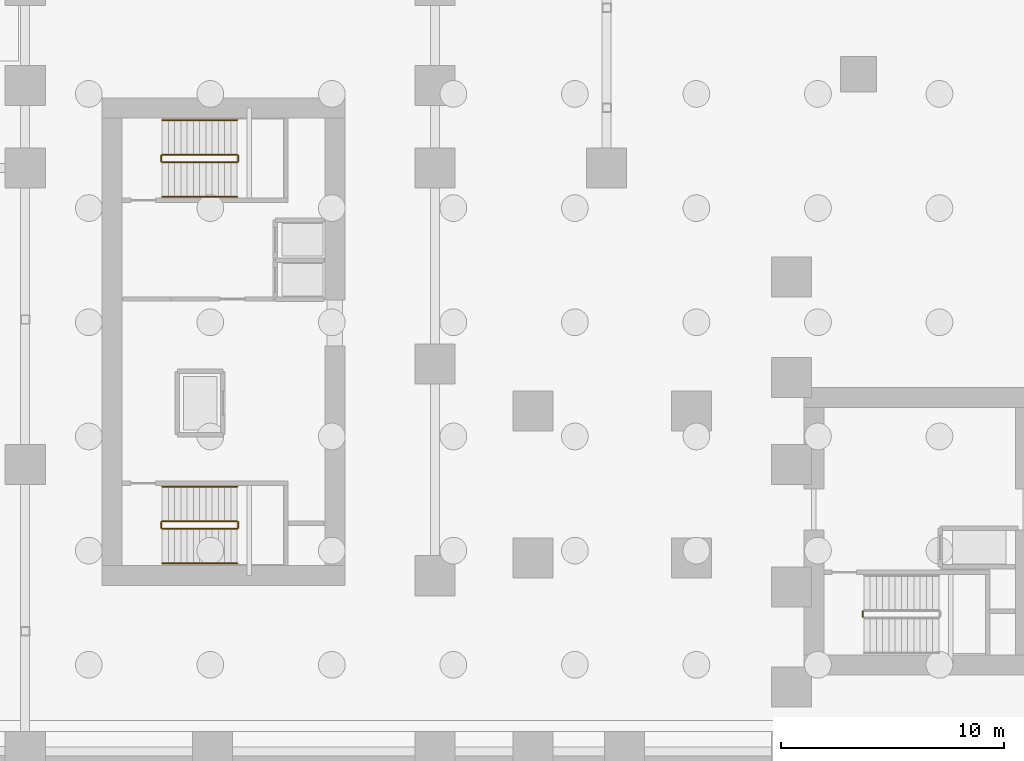
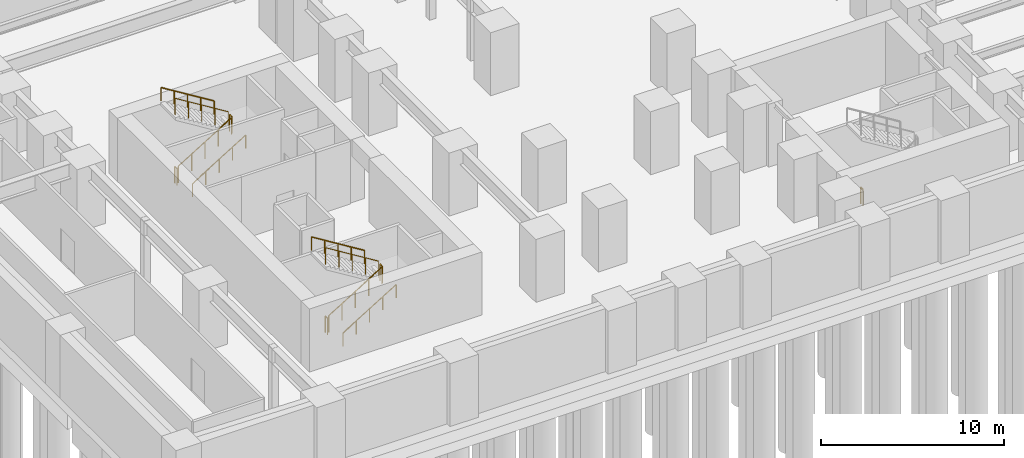
# One storey, part 13 of 15: 13 railings.
"""IFC4 building model written with IfcOpenShell, lengths in metres."""

from ifc_helpers import new_model, si_unit, direction, frame, origin, origin_2d, place, context, subcontext, project, spatial, circle, extrude, source, transform, mapped, material, layer, layer_set, type_object, element, save


model = new_model("IFC4")

# Units and contexts
model_context = context("Model", 3, precision=1e-05, world=origin(), true_north=direction((0.0, 1.0)))
body_context = subcontext(model_context, "Body", "Model", "MODEL_VIEW")
ifc_project = project(units=[si_unit("LENGTHUNIT", "METRE"), si_unit("AREAUNIT", "SQUARE_METRE"), si_unit("VOLUMEUNIT", "CUBIC_METRE"), si_unit("PLANEANGLEUNIT", "RADIAN"), si_unit("MASSUNIT", "GRAM", prefix="KILO")], contexts=[model_context])

# Site, building, storey
site_placement = place(None, origin())
site = spatial("IfcSite", under=ifc_project, at=site_placement, CompositionType="ELEMENT")
building_placement = place(site_placement, origin())
building = spatial("IfcBuilding", under=site, at=building_placement, Name="Kharzan Plaza Tower", CompositionType="ELEMENT")
storey_placement = place(building_placement, frame((0.0, 0.0, -9.0)))
storey = spatial("IfcBuildingStorey", under=building, at=storey_placement, Name="B02", CompositionType="ELEMENT", Elevation=-9.0)

# Railings
ifc_material_1 = material(Name="Painted Galvanized Architectural Steel", Category="steel")
ifc_layer_1 = layer(ifc_material_1, 0.074951171875)
ifc_layer_set_1 = layer_set([ifc_layer_1], Name="Painted Galvanized Architectural Steel")
railing_type_1 = type_object("IfcRailingType", Name="RL-GUARD-1120", PredefinedType="BALUSTRADE", material=ifc_layer_set_1)
shared_shape_1 = source(origin(), body_context, "Body", "SweptSolid", [
    extrude(circle(Radius=0.02392578125, at=origin_2d()), frame((0.0224609375, 0.0, 1.10986328125), z_axis=(0.850623216509, 0.0, 0.525775754039), x_axis=(0.0, 1.0, 0.0)), (0.0, 0.0, 1.0), 3.897216796875),
    extrude(circle(Radius=0.02099609375, at=origin_2d()), origin(), (0.0, 0.0, 1.0), 1.072021484375),
    extrude(circle(Radius=0.02099609375, at=origin_2d()), frame((0.840087890625, 0.0, 0.519287109375)), (0.0, 0.0, 1.0), 1.072021484375),
    extrude(circle(Radius=0.02099609375, at=origin_2d()), frame((1.68017578125, 0.0, 1.03857421875)), (0.0, 0.0, 1.0), 1.072021484375),
    extrude(circle(Radius=0.02099609375, at=origin_2d()), frame((2.52001953125, 0.0, 1.5576171875)), (0.0, 0.0, 1.0), 1.072021484375),
    extrude(circle(Radius=0.02099609375, at=origin_2d()), frame((3.360107421875, 0.0, 2.076904296875)), (0.0, 0.0, 1.0), 1.072021484375),
])
for number, where, name in (
    (1, (6.75, 10.60009765625, 0.173095703125), "B02 ST-1 stair guard 1"),
    (2, (6.75, 27.050048828125, 0.173095703125), "B02 ST-2 stair guard 1"),
):
    element("IfcRailing", number, at=place(storey_placement, frame(where)), inside=storey, type_object=railing_type_1, Name=name, PredefinedType="BALUSTRADE", context=body_context, shape_type="MappedRepresentation", body=[
        mapped(shared_shape_1, transform((0.0, 0.0, 0.0), x_axis=(1.0, 0.0, 0.0), y_axis=(0.0, 1.0, 0.0), z_axis=(0.0, 0.0, 1.0))),
    ])
shared_shape_2 = source(origin(), body_context, "Body", "SweptSolid", [
    extrude(circle(Radius=0.02392578125, at=origin_2d()), frame((0.0, 0.0263671875, 1.09619140625), z_axis=(0.0, 1.0, 0.0), x_axis=(-1.0, 0.0, 0.0)), (0.0, 0.0, 1.0), 0.197021484375),
    extrude(circle(Radius=0.02099609375, at=origin_2d()), origin(), (0.0, 0.0, 1.0), 1.072021484375),
    extrude(circle(Radius=0.02099609375, at=origin_2d()), frame((0.0, 0.25, 0.0)), (0.0, 0.0, 1.0), 1.072021484375),
])
for number, where, name in (
    (3, (10.159912109375, 10.64990234375, 2.25), "B02 ST-1 stair guard 2"),
    (4, (6.699951171875, 10.64990234375, 0.0), "B02 ST-1 stair guard 4"),
    (5, (10.159912109375, 27.10009765625, 2.25), "B02 ST-2 stair guard 2"),
    (6, (6.699951171875, 27.10009765625, 0.0), "B02 ST-2 stair guard 4"),
    (7, (38.199951171875, 6.64990234375, 0.0), "B02 ST-3 stair guard 4"),
):
    element("IfcRailing", number, at=place(storey_placement, frame(where)), inside=storey, type_object=railing_type_1, Name=name, PredefinedType="BALUSTRADE", context=body_context, shape_type="MappedRepresentation", body=[
        mapped(shared_shape_2, transform((0.0, 0.0, 0.0), x_axis=(1.0, 0.0, 0.0), y_axis=(0.0, 1.0, 0.0), z_axis=(0.0, 0.0, 1.0))),
    ])
shared_shape_3 = source(origin(), body_context, "Body", "SweptSolid", [
    extrude(circle(Radius=0.02392578125, at=origin_2d()), frame((-0.0224609375, 0.0, 1.10986328125), z_axis=(-0.850623216509, 0.0, 0.525775754039), x_axis=(0.0, -1.0, 0.0)), (0.0, 0.0, 1.0), 3.897216796875),
    extrude(circle(Radius=0.02099609375, at=origin_2d()), origin(), (0.0, 0.0, 1.0), 1.072021484375),
    extrude(circle(Radius=0.02099609375, at=origin_2d()), frame((-0.840087890625, 0.0, 0.519287109375)), (0.0, 0.0, 1.0), 1.072021484375),
    extrude(circle(Radius=0.02099609375, at=origin_2d()), frame((-1.68017578125, 0.0, 1.03857421875)), (0.0, 0.0, 1.0), 1.072021484375),
    extrude(circle(Radius=0.02099609375, at=origin_2d()), frame((-2.52001953125, 0.0, 1.5576171875)), (0.0, 0.0, 1.0), 1.072021484375),
    extrude(circle(Radius=0.02099609375, at=origin_2d()), frame((-3.360107421875, 0.0, 2.076904296875)), (0.0, 0.0, 1.0), 1.072021484375),
])
for number, where, name in (
    (8, (10.110107421875, 10.949951171875, 2.423095703125), "B02 ST-1 stair guard 3"),
    (9, (10.110107421875, 27.39990234375, 2.423095703125), "B02 ST-2 stair guard 3"),
):
    element("IfcRailing", number, at=place(storey_placement, frame(where)), inside=storey, type_object=railing_type_1, Name=name, PredefinedType="BALUSTRADE", context=body_context, shape_type="MappedRepresentation", body=[
        mapped(shared_shape_3, transform((0.0, 0.0, 0.0), x_axis=(1.0, 0.0, 0.0), y_axis=(0.0, 1.0, 0.0), z_axis=(0.0, 0.0, 1.0))),
    ])
ifc_material_2 = material(Name="Brushed Stainless Steel", Category="steel")
ifc_layer_2 = layer(ifc_material_2, 0.050048828125)
ifc_layer_set_2 = layer_set([ifc_layer_2], Name="Brushed Stainless Steel")
railing_type_2 = type_object("IfcRailingType", Name="RL-STAIR-HR920", PredefinedType="HANDRAIL", material=ifc_layer_set_2)
shared_shape_4 = source(origin(), body_context, "Body", "SweptSolid", [
    extrude(circle(Radius=0.02392578125, at=origin_2d()), frame((0.0224609375, 0.0, 0.8896484375), z_axis=(0.850623216509, 0.0, 0.525775754039), x_axis=(0.0, 1.0, 0.0)), (0.0, 0.0, 1.0), 3.897216796875),
    extrude(circle(Radius=0.02099609375, at=origin_2d()), origin(), (0.0, 0.0, 1.0), 0.851806640625),
    extrude(circle(Radius=0.02099609375, at=origin_2d()), frame((0.840087890625, 0.0, 0.519287109375)), (0.0, 0.0, 1.0), 0.851806640625),
    extrude(circle(Radius=0.02099609375, at=origin_2d()), frame((1.68017578125, 0.0, 1.03857421875)), (0.0, 0.0, 1.0), 0.851806640625),
    extrude(circle(Radius=0.02099609375, at=origin_2d()), frame((2.52001953125, 0.0, 1.5576171875)), (0.0, 0.0, 1.0), 0.851806640625),
    extrude(circle(Radius=0.02099609375, at=origin_2d()), frame((3.360107421875, 0.0, 2.076904296875)), (0.0, 0.0, 1.0), 0.851806640625),
])
for number, where, name in (
    (10, (6.75, 9.050048828125, 0.173095703125), "B02 ST-1 stair handrail 1"),
    (11, (6.75, 25.5, 0.173095703125), "B02 ST-2 stair handrail 1"),
):
    element("IfcRailing", number, at=place(storey_placement, frame(where)), inside=storey, type_object=railing_type_2, Name=name, PredefinedType="HANDRAIL", context=body_context, shape_type="MappedRepresentation", body=[
        mapped(shared_shape_4, transform((0.0, 0.0, 0.0), x_axis=(1.0, 0.0, 0.0), y_axis=(0.0, 1.0, 0.0), z_axis=(0.0, 0.0, 1.0))),
    ])
shared_shape_5 = source(origin(), body_context, "Body", "SweptSolid", [
    extrude(circle(Radius=0.02392578125, at=origin_2d()), frame((-0.0224609375, 0.0, 0.8896484375), z_axis=(-0.850623216509, 0.0, 0.525775754039), x_axis=(0.0, -1.0, 0.0)), (0.0, 0.0, 1.0), 3.897216796875),
    extrude(circle(Radius=0.02099609375, at=origin_2d()), origin(), (0.0, 0.0, 1.0), 0.851806640625),
    extrude(circle(Radius=0.02099609375, at=origin_2d()), frame((-0.840087890625, 0.0, 0.519287109375)), (0.0, 0.0, 1.0), 0.851806640625),
    extrude(circle(Radius=0.02099609375, at=origin_2d()), frame((-1.68017578125, 0.0, 1.03857421875)), (0.0, 0.0, 1.0), 0.851806640625),
    extrude(circle(Radius=0.02099609375, at=origin_2d()), frame((-2.52001953125, 0.0, 1.5576171875)), (0.0, 0.0, 1.0), 0.851806640625),
    extrude(circle(Radius=0.02099609375, at=origin_2d()), frame((-3.360107421875, 0.0, 2.076904296875)), (0.0, 0.0, 1.0), 0.851806640625),
])
for number, where, name in (
    (12, (10.110107421875, 12.5, 2.423095703125), "B02 ST-1 stair handrail 2"),
    (13, (10.110107421875, 28.949951171875, 2.423095703125), "B02 ST-2 stair handrail 2"),
):
    element("IfcRailing", number, at=place(storey_placement, frame(where)), inside=storey, type_object=railing_type_2, Name=name, PredefinedType="HANDRAIL", context=body_context, shape_type="MappedRepresentation", body=[
        mapped(shared_shape_5, transform((0.0, 0.0, 0.0), x_axis=(1.0, 0.0, 0.0), y_axis=(0.0, 1.0, 0.0), z_axis=(0.0, 0.0, 1.0))),
    ])

save(model, "model.ifc")
